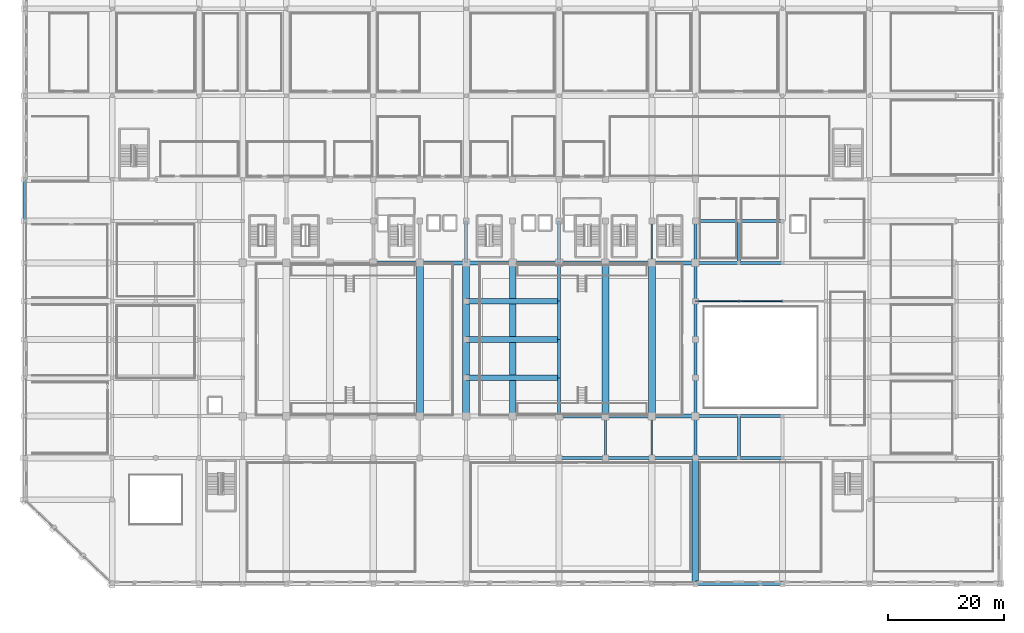
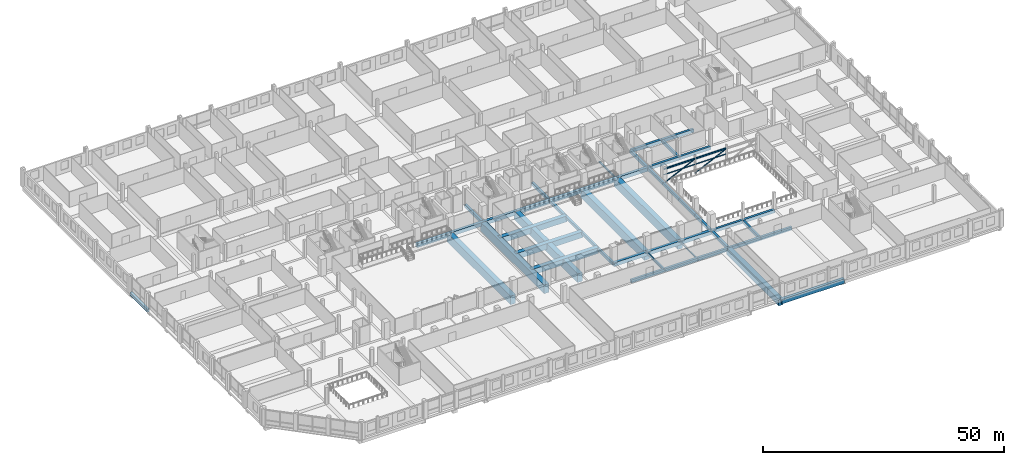
# One storey, part 27 of 68: 49 beams, 6 members.
"""IFC4 building model written with IfcOpenShell, lengths in metres."""

from ifc_helpers import new_model, si_unit, direction, frame, origin, origin_2d, place, context, subcontext, project, spatial, rectangle, hollow_rectangle, hollow_circle, i_section, extrude, material, material_profile, profile_set, type_object, element, save


model = new_model("IFC4")

# Units and contexts
model_context = context("Model", 3, precision=1e-05, world=origin(), true_north=direction((0.0, 1.0)))
body_context = subcontext(model_context, "Body", "Model", "MODEL_VIEW")
ifc_project = project(units=[si_unit("LENGTHUNIT", "METRE"), si_unit("AREAUNIT", "SQUARE_METRE"), si_unit("VOLUMEUNIT", "CUBIC_METRE"), si_unit("PLANEANGLEUNIT", "RADIAN"), si_unit("MASSUNIT", "GRAM", prefix="KILO")], contexts=[model_context])

# Site, building, storey
site_placement = place(None, origin())
site = spatial("IfcSite", under=ifc_project, at=site_placement, CompositionType="ELEMENT")
building_placement = place(site_placement, origin())
building = spatial("IfcBuilding", under=site, at=building_placement, Name="Akrevak Sports Hall", CompositionType="ELEMENT")
storey_placement = place(building_placement, frame((0.0, 0.0, 9.39990234375)))
storey = spatial("IfcBuildingStorey", under=building, at=storey_placement, Name="L02", CompositionType="ELEMENT", Elevation=9.39990234375)

# Beams
ifc_material_1 = material(Name="Concrete C50/60", Category="concrete")
ifc_material_profile_1 = material_profile(ifc_material_1, rectangle(XDim=1.10009765625, YDim=2.199951171875, at=origin_2d()), Name="PTG 1100x2200", Category="concrete")
ifc_profile_set_1 = profile_set([ifc_material_profile_1], Name="Concrete C50/60")
beam_type_1 = type_object("IfcBeamType", Name="PT-Transfer-Girder-1100x2200", PredefinedType="USERDEFINED", material=ifc_profile_set_1)
beam_1_placement = place(storey_placement, frame((84.0, 28.800048828125, -1.099853515625), z_axis=(0.0, 1.0, 0.0), x_axis=(-1.0, 0.0, 0.0)))
element("IfcBeam", 1, at=beam_1_placement, inside=storey, type_object=beam_type_1, Name="PT Transfer Girder PTG-L02-12 (26.4m Clear Span)", ObjectType="PT TRANSFER GIRDER", PredefinedType="USERDEFINED", context=body_context, shape_type="SweptSolid", body=[
    extrude(rectangle(XDim=1.10009765625, YDim=2.199951171875, at=origin_2d()), origin(), (0.0, 0.0, 1.0), 26.39990234375),
])
ifc_material_profile_2 = material_profile(ifc_material_1, rectangle(XDim=1.199951171875, YDim=2.199951171875, at=origin_2d()), Name="PTG 1200x2200", Category="concrete")
ifc_profile_set_2 = profile_set([ifc_material_profile_2], Name="Concrete C50/60")
beam_type_2 = type_object("IfcBeamType", Name="PT-Transfer-Girder-1200x2200", PredefinedType="USERDEFINED", material=ifc_profile_set_2)
for number, where, z_axis, x_axis, name in (
    (2, (68.0, 28.800048828125, -1.099853515625), (0.0, 1.0, 0.0), (-1.0, 0.0, 0.0), "PT Transfer Girder PTG-L02-10 (26.4m Clear Span)"),
    (3, (76.0, 28.800048828125, -1.099853515625), (0.0, 1.0, 0.0), (-1.0, 0.0, 0.0), "PT Transfer Girder PTG-L02-11 (26.4m Clear Span)"),
    (4, (100.0, 28.800048828125, -1.099853515625), (0.0, 1.0, 0.0), (-1.0, 0.0, 0.0), "PT Transfer Girder PTG-L02-14 (26.4m Clear Span)"),
    (5, (108.0, 28.800048828125, -1.099853515625), (0.0, 1.0, 0.0), (-1.0, 0.0, 0.0), "PT Transfer Girder PTG-L02-15 (26.4m Clear Span)"),
):
    element("IfcBeam", number, at=place(storey_placement, frame(where, z_axis=z_axis, x_axis=x_axis)), inside=storey, type_object=beam_type_2, Name=name, ObjectType="PT TRANSFER GIRDER", PredefinedType="USERDEFINED", context=body_context, shape_type="SweptSolid", body=[
        extrude(rectangle(XDim=1.199951171875, YDim=2.199951171875, at=origin_2d()), origin(), (0.0, 0.0, 1.0), 26.39990234375),
    ])
ifc_material_profile_3 = material_profile(ifc_material_1, rectangle(XDim=1.0, YDim=1.449951171875, at=origin_2d()), Name="BM 1000x1450", Category="concrete")
ifc_profile_set_3 = profile_set([ifc_material_profile_3], Name="Concrete C50/60")
beam_type_3 = type_object("IfcBeamType", Name="STR-BM-LG1000x1450", PredefinedType="BEAM", material=ifc_profile_set_3)
for number, where, z_axis, x_axis, name in (
    (6, (76.0, 35.39990234375, -0.724853515625), (1.0, 0.0, 0.0), (0.0, 1.0, 0.0), "Girder F/11-13 (L02)"),
    (7, (76.0, 42.0, -0.724853515625), (1.0, 0.0, 0.0), (0.0, 1.0, 0.0), "Girder G/11-13 (L02)"),
    (8, (76.0, 48.60009765625, -0.724853515625), (1.0, 0.0, 0.0), (0.0, 1.0, 0.0), "Girder H/11-13 (L02)"),
):
    element("IfcBeam", number, at=place(storey_placement, frame(where, z_axis=z_axis, x_axis=x_axis)), inside=storey, type_object=beam_type_3, Name=name, PredefinedType="BEAM", context=body_context, shape_type="SweptSolid", body=[
        extrude(rectangle(XDim=1.0, YDim=1.449951171875, at=origin_2d()), origin(), (0.0, 0.0, 1.0), 16.0),
    ])
ifc_material_profile_4 = material_profile(ifc_material_1, rectangle(XDim=1.10009765625, YDim=1.64990234375, at=origin_2d()), Name="BM 1100x1650", Category="concrete")
ifc_profile_set_4 = profile_set([ifc_material_profile_4], Name="Concrete C50/60")
beam_type_4 = type_object("IfcBeamType", Name="STR-BM-LG1100x1650", PredefinedType="BEAM", material=ifc_profile_set_4)
beam_2_placement = place(storey_placement, frame((115.5, 0.0, -0.824951171875), z_axis=(0.0, 1.0, 0.0), x_axis=(-1.0, 0.0, 0.0)))
element("IfcBeam", 9, at=beam_2_placement, inside=storey, type_object=beam_type_4, Name="Girder 16/A-D (L02)", PredefinedType="BEAM", context=body_context, shape_type="SweptSolid", body=[
    extrude(rectangle(XDim=1.10009765625, YDim=1.64990234375, at=origin_2d()), origin(), (0.0, 0.0, 1.0), 21.60009765625),
])
ifc_material_2 = material(Name="Concrete C40/50", Category="concrete")
ifc_material_profile_5 = material_profile(ifc_material_2, rectangle(XDim=0.5, YDim=0.75, at=origin_2d()), Name="BM 500x750", Category="concrete")
ifc_profile_set_5 = profile_set([ifc_material_profile_5], Name="Concrete C40/50")
beam_type_5 = type_object("IfcBeamType", Name="STR-BM-RC500x750", PredefinedType="BEAM", material=ifc_profile_set_5)
beam_3_placement = place(storey_placement, frame((0.0, 62.39990234375, -0.375), z_axis=(0.0, 1.0, 0.0), x_axis=(-1.0, 0.0, 0.0)))
element("IfcBeam", 10, at=beam_3_placement, inside=storey, type_object=beam_type_5, Name="Girder 1/J-K (L02)", PredefinedType="BEAM", context=body_context, shape_type="SweptSolid", body=[
    extrude(rectangle(XDim=0.5, YDim=0.75, at=origin_2d()), origin(), (0.0, 0.0, 1.0), 7.2001953125),
])
beam_4_placement = place(storey_placement, frame((76.0, 55.199951171875, -0.375), z_axis=(0.0, 1.0, 0.0), x_axis=(-1.0, 0.0, 0.0)))
element("IfcBeam", 11, at=beam_4_placement, inside=storey, type_object=beam_type_5, Name="Girder 11/I-J (L02)", PredefinedType="BEAM", context=body_context, shape_type="SweptSolid", body=[
    extrude(rectangle(XDim=0.5, YDim=0.75, at=origin_2d()), origin(), (0.0, 0.0, 1.0), 7.199951171875),
])
beam_5_placement = place(storey_placement, frame((92.0, 28.800048828125, -0.375), z_axis=(0.0, 1.0, 0.0), x_axis=(-1.0, 0.0, 0.0)))
element("IfcBeam", 12, at=beam_5_placement, inside=storey, type_object=beam_type_5, Name="Girder 13/E-F (L02)", PredefinedType="BEAM", context=body_context, shape_type="SweptSolid", body=[
    extrude(rectangle(XDim=0.5, YDim=0.75, at=origin_2d()), origin(), (0.0, 0.0, 1.0), 6.599853515625),
])
for number, where, z_axis, x_axis, name in (
    (13, (92.0, 35.39990234375, -0.375), (0.0, 1.0, 0.0), (-1.0, 0.0, 0.0), "Girder 13/F-G (L02)"),
    (14, (92.0, 42.0, -0.375), (0.0, 1.0, 0.0), (-1.0, 0.0, 0.0), "Girder 13/G-H (L02)"),
):
    element("IfcBeam", number, at=place(storey_placement, frame(where, z_axis=z_axis, x_axis=x_axis)), inside=storey, type_object=beam_type_5, Name=name, PredefinedType="BEAM", context=body_context, shape_type="SweptSolid", body=[
        extrude(rectangle(XDim=0.5, YDim=0.75, at=origin_2d()), origin(), (0.0, 0.0, 1.0), 6.60009765625),
    ])
beam_6_placement = place(storey_placement, frame((92.0, 48.60009765625, -0.375), z_axis=(0.0, 1.0, 0.0), x_axis=(-1.0, 0.0, 0.0)))
element("IfcBeam", 15, at=beam_6_placement, inside=storey, type_object=beam_type_5, Name="Girder 13/H-I (L02)", PredefinedType="BEAM", context=body_context, shape_type="SweptSolid", body=[
    extrude(rectangle(XDim=0.5, YDim=0.75, at=origin_2d()), origin(), (0.0, 0.0, 1.0), 6.599853515625),
])
for number, where, z_axis, x_axis, name in (
    (16, (92.0, 55.199951171875, -0.375), (0.0, 1.0, 0.0), (-1.0, 0.0, 0.0), "Girder 13/I-J (L02)"),
    (17, (115.5, 21.60009765625, -0.375), (0.0, 1.0, 0.0), (-1.0, 0.0, 0.0), "Girder 16/D-E (L02)"),
):
    element("IfcBeam", number, at=place(storey_placement, frame(where, z_axis=z_axis, x_axis=x_axis)), inside=storey, type_object=beam_type_5, Name=name, PredefinedType="BEAM", context=body_context, shape_type="SweptSolid", body=[
        extrude(rectangle(XDim=0.5, YDim=0.75, at=origin_2d()), origin(), (0.0, 0.0, 1.0), 7.199951171875),
    ])
beam_7_placement = place(storey_placement, frame((115.5, 28.800048828125, -0.375), z_axis=(0.0, 1.0, 0.0), x_axis=(-1.0, 0.0, 0.0)))
element("IfcBeam", 18, at=beam_7_placement, inside=storey, type_object=beam_type_5, Name="Girder 16/E-F (L02)", PredefinedType="BEAM", context=body_context, shape_type="SweptSolid", body=[
    extrude(rectangle(XDim=0.5, YDim=0.75, at=origin_2d()), origin(), (0.0, 0.0, 1.0), 6.599853515625),
])
for number, where, z_axis, x_axis, name in (
    (19, (115.5, 35.39990234375, -0.375), (0.0, 1.0, 0.0), (-1.0, 0.0, 0.0), "Girder 16/F-G (L02)"),
    (20, (115.5, 42.0, -0.375), (0.0, 1.0, 0.0), (-1.0, 0.0, 0.0), "Girder 16/G-H (L02)"),
):
    element("IfcBeam", number, at=place(storey_placement, frame(where, z_axis=z_axis, x_axis=x_axis)), inside=storey, type_object=beam_type_5, Name=name, PredefinedType="BEAM", context=body_context, shape_type="SweptSolid", body=[
        extrude(rectangle(XDim=0.5, YDim=0.75, at=origin_2d()), origin(), (0.0, 0.0, 1.0), 6.60009765625),
    ])
beam_8_placement = place(storey_placement, frame((115.5, 48.60009765625, -0.375), z_axis=(0.0, 1.0, 0.0), x_axis=(-1.0, 0.0, 0.0)))
element("IfcBeam", 21, at=beam_8_placement, inside=storey, type_object=beam_type_5, Name="Girder 16/H-I (L02)", PredefinedType="BEAM", context=body_context, shape_type="SweptSolid", body=[
    extrude(rectangle(XDim=0.5, YDim=0.75, at=origin_2d()), origin(), (0.0, 0.0, 1.0), 6.599853515625),
])
for number, where, z_axis, x_axis, name in (
    (22, (115.5, 55.199951171875, -0.375), (0.0, 1.0, 0.0), (-1.0, 0.0, 0.0), "Girder 16/I-J (L02)"),
    (23, (123.0, 21.60009765625, -0.375), (0.0, 1.0, 0.0), (-1.0, 0.0, 0.0), "Girder 17/D-E (L02)"),
    (24, (123.0, 55.199951171875, -0.375), (0.0, 1.0, 0.0), (-1.0, 0.0, 0.0), "Girder 17/I-J (L02)"),
):
    element("IfcBeam", number, at=place(storey_placement, frame(where, z_axis=z_axis, x_axis=x_axis)), inside=storey, type_object=beam_type_5, Name=name, PredefinedType="BEAM", context=body_context, shape_type="SweptSolid", body=[
        extrude(rectangle(XDim=0.5, YDim=0.75, at=origin_2d()), origin(), (0.0, 0.0, 1.0), 7.199951171875),
    ])
ifc_material_profile_6 = material_profile(ifc_material_2, rectangle(XDim=0.550048828125, YDim=0.800048828125, at=origin_2d()), Name="BM 550x800", Category="concrete")
ifc_profile_set_6 = profile_set([ifc_material_profile_6], Name="Concrete C40/50")
beam_type_6 = type_object("IfcBeamType", Name="STR-BM-RC550x800", PredefinedType="BEAM", material=ifc_profile_set_6)
for number, where, z_axis, x_axis, name in (
    (25, (92.0, 21.60009765625, -0.39990234375), (1.0, 0.0, 0.0), (0.0, 1.0, 0.0), "Girder D/13-14 (L02)"),
    (26, (100.0, 21.60009765625, -0.39990234375), (1.0, 0.0, 0.0), (0.0, 1.0, 0.0), "Girder D/14-15 (L02)"),
):
    element("IfcBeam", number, at=place(storey_placement, frame(where, z_axis=z_axis, x_axis=x_axis)), inside=storey, type_object=beam_type_6, Name=name, PredefinedType="BEAM", context=body_context, shape_type="SweptSolid", body=[
        extrude(rectangle(XDim=0.550048828125, YDim=0.800048828125, at=origin_2d()), origin(), (0.0, 0.0, 1.0), 8.0),
    ])
for number, where, z_axis, x_axis, name in (
    (27, (108.0, 21.60009765625, -0.39990234375), (1.0, 0.0, 0.0), (0.0, 1.0, 0.0), "Girder D/15-16 (L02)"),
    (28, (115.5, 21.60009765625, -0.39990234375), (1.0, 0.0, 0.0), (0.0, 1.0, 0.0), "Girder D/16-17 (L02)"),
    (29, (123.0, 21.60009765625, -0.39990234375), (1.0, 0.0, 0.0), (0.0, 1.0, 0.0), "Girder D/17-18 (L02)"),
    (30, (115.5, 28.800048828125, -0.39990234375), (1.0, 0.0, 0.0), (0.0, 1.0, 0.0), "Girder E/16-17 (L02)"),
    (31, (123.0, 28.800048828125, -0.39990234375), (1.0, 0.0, 0.0), (0.0, 1.0, 0.0), "Girder E/17-18 (L02)"),
    (32, (115.5, 55.199951171875, -0.39990234375), (1.0, 0.0, 0.0), (0.0, 1.0, 0.0), "Girder I/16-17 (L02)"),
    (33, (123.0, 55.199951171875, -0.39990234375), (1.0, 0.0, 0.0), (0.0, 1.0, 0.0), "Girder I/17-18 (L02)"),
    (34, (115.5, 62.39990234375, -0.39990234375), (1.0, 0.0, 0.0), (0.0, 1.0, 0.0), "Girder J/16-17 (L02)"),
    (35, (123.0, 62.39990234375, -0.39990234375), (1.0, 0.0, 0.0), (0.0, 1.0, 0.0), "Girder J/17-18 (L02)"),
):
    element("IfcBeam", number, at=place(storey_placement, frame(where, z_axis=z_axis, x_axis=x_axis)), inside=storey, type_object=beam_type_6, Name=name, PredefinedType="BEAM", context=body_context, shape_type="SweptSolid", body=[
        extrude(rectangle(XDim=0.550048828125, YDim=0.800048828125, at=origin_2d()), origin(), (0.0, 0.0, 1.0), 7.5),
    ])
ifc_material_profile_7 = material_profile(ifc_material_1, rectangle(XDim=0.699951171875, YDim=0.949951171875, at=origin_2d()), Name="BM 700x950", Category="concrete")
ifc_profile_set_7 = profile_set([ifc_material_profile_7], Name="Concrete C50/60")
beam_type_7 = type_object("IfcBeamType", Name="STR-BM-RC700x950", PredefinedType="BEAM", material=ifc_profile_set_7)
for number, where, z_axis, x_axis, name in (
    (36, (92.0, 28.800048828125, -0.474853515625), (1.0, 0.0, 0.0), (0.0, 1.0, 0.0), "Girder E/13-14 (L02)"),
    (37, (100.0, 28.800048828125, -0.474853515625), (1.0, 0.0, 0.0), (0.0, 1.0, 0.0), "Girder E/14-15 (L02)"),
):
    element("IfcBeam", number, at=place(storey_placement, frame(where, z_axis=z_axis, x_axis=x_axis)), inside=storey, type_object=beam_type_7, Name=name, PredefinedType="BEAM", context=body_context, shape_type="SweptSolid", body=[
        extrude(rectangle(XDim=0.699951171875, YDim=0.949951171875, at=origin_2d()), origin(), (0.0, 0.0, 1.0), 8.0),
    ])
beam_9_placement = place(storey_placement, frame((108.0, 28.800048828125, -0.474853515625), z_axis=(1.0, 0.0, 0.0), x_axis=(0.0, 1.0, 0.0)))
element("IfcBeam", 38, at=beam_9_placement, inside=storey, type_object=beam_type_7, Name="Girder E/15-16 (L02)", PredefinedType="BEAM", context=body_context, shape_type="SweptSolid", body=[
    extrude(rectangle(XDim=0.699951171875, YDim=0.949951171875, at=origin_2d()), origin(), (0.0, 0.0, 1.0), 7.5),
])
for number, where, z_axis, x_axis, name in (
    (39, (60.0, 55.199951171875, -0.474853515625), (1.0, 0.0, 0.0), (0.0, 1.0, 0.0), "Girder I/9-10 (L02)"),
    (40, (68.0, 55.199951171875, -0.474853515625), (1.0, 0.0, 0.0), (0.0, 1.0, 0.0), "Girder I/10-11 (L02)"),
    (41, (76.0, 55.199951171875, -0.474853515625), (1.0, 0.0, 0.0), (0.0, 1.0, 0.0), "Girder I/11-12 (L02)"),
    (42, (84.0, 55.199951171875, -0.474853515625), (1.0, 0.0, 0.0), (0.0, 1.0, 0.0), "Girder I/12-13 (L02)"),
    (43, (92.0, 55.199951171875, -0.474853515625), (1.0, 0.0, 0.0), (0.0, 1.0, 0.0), "Girder I/13-14 (L02)"),
    (44, (100.0, 55.199951171875, -0.474853515625), (1.0, 0.0, 0.0), (0.0, 1.0, 0.0), "Girder I/14-15 (L02)"),
):
    element("IfcBeam", number, at=place(storey_placement, frame(where, z_axis=z_axis, x_axis=x_axis)), inside=storey, type_object=beam_type_7, Name=name, PredefinedType="BEAM", context=body_context, shape_type="SweptSolid", body=[
        extrude(rectangle(XDim=0.699951171875, YDim=0.949951171875, at=origin_2d()), origin(), (0.0, 0.0, 1.0), 8.0),
    ])
beam_10_placement = place(storey_placement, frame((108.0, 55.199951171875, -0.474853515625), z_axis=(1.0, 0.0, 0.0), x_axis=(0.0, 1.0, 0.0)))
element("IfcBeam", 45, at=beam_10_placement, inside=storey, type_object=beam_type_7, Name="Girder I/15-16 (L02)", PredefinedType="BEAM", context=body_context, shape_type="SweptSolid", body=[
    extrude(rectangle(XDim=0.699951171875, YDim=0.949951171875, at=origin_2d()), origin(), (0.0, 0.0, 1.0), 7.5),
])
ifc_material_3 = material(Name="Steel S355", Category="steel")
ifc_material_profile_8 = material_profile(ifc_material_3, i_section(OverallWidth=0.239990234375, OverallDepth=0.239990234375, WebThickness=0.010009765625, FlangeThickness=0.01708984375, FilletRadius=0.02099609375, at=origin_2d()), Name="HEB 240", Category="steel")
ifc_profile_set_8 = profile_set([ifc_material_profile_8], Name="Steel S355")
beam_type_8 = type_object("IfcBeamType", Name="STR-BM-STL-HEB240", PredefinedType="BEAM", material=ifc_profile_set_8)
beam_11_placement = place(storey_placement, frame((108.0, 21.60009765625, -0.449951171875), z_axis=(0.0, 1.0, 0.0), x_axis=(-1.0, 0.0, 0.0)))
element("IfcBeam", 46, at=beam_11_placement, inside=storey, type_object=beam_type_8, Name="Arena Concourse Steel Girder 3", PredefinedType="BEAM", context=body_context, shape_type="SweptSolid", body=[
    extrude(i_section(OverallWidth=0.239990234375, OverallDepth=0.239990234375, WebThickness=0.010009765625, FlangeThickness=0.01708984375, FilletRadius=0.02099609375, at=origin_2d()), origin(), (0.0, 0.0, 1.0), 7.199951171875),
])
ifc_material_profile_9 = material_profile(ifc_material_3, i_section(OverallWidth=0.179931640625, OverallDepth=0.39990234375, WebThickness=0.008544921875, FlangeThickness=0.013427734375, FilletRadius=0.02099609375, at=origin_2d()), Name="IPE 400", Category="steel")
ifc_profile_set_9 = profile_set([ifc_material_profile_9], Name="Steel S355")
beam_type_9 = type_object("IfcBeamType", Name="STR-BM-STL-IPE400", PredefinedType="JOIST", material=ifc_profile_set_9)
for number, where, z_axis, x_axis, name in (
    (47, (115.5, 48.60009765625, 3.3701171875), (1.0, 0.0, 0.0), (0.0, 1.0, 0.0), "Climbing Frame Tie Beam 1 (L02)"),
    (48, (123.0, 48.60009765625, 3.3701171875), (1.0, 0.0, 0.0), (0.0, 1.0, 0.0), "Climbing Frame Tie Beam 2 (L02)"),
):
    element("IfcBeam", number, at=place(storey_placement, frame(where, z_axis=z_axis, x_axis=x_axis)), inside=storey, type_object=beam_type_9, Name=name, PredefinedType="JOIST", context=body_context, shape_type="SweptSolid", body=[
        extrude(i_section(OverallWidth=0.179931640625, OverallDepth=0.39990234375, WebThickness=0.008544921875, FlangeThickness=0.013427734375, FilletRadius=0.02099609375, at=origin_2d()), origin(), (0.0, 0.0, 1.0), 7.5),
    ])

# Members
ifc_material_profile_10 = material_profile(ifc_material_3, hollow_circle(Radius=0.084228515625, WallThickness=0.008056640625, at=origin_2d()), Name="CHS 168.3x8", Category="steel")
ifc_profile_set_10 = profile_set([ifc_material_profile_10], Name="Steel S355")
member_type_1 = type_object("IfcMemberType", Name="STR-MEM-BRACE-CHS168", PredefinedType="BRACE", material=ifc_profile_set_10)
for number, where, z_axis, x_axis, name in (
    (49, (115.5, 48.60009765625, -0.2998046875), (0.900590023633, 0.0, 0.434669540378), (0.0, 1.0, 0.0), "Climbing Wall Diagonal Brace BR-1 (L02)"),
    (50, (123.0, 48.60009765625, -0.2998046875), (0.900590023633, 0.0, 0.434669540378), (0.0, 1.0, 0.0), "Climbing Wall Diagonal Brace BR-2 (L02)"),
):
    element("IfcMember", number, at=place(storey_placement, frame(where, z_axis=z_axis, x_axis=x_axis)), inside=storey, type_object=member_type_1, Name=name, PredefinedType="BRACE", context=body_context, shape_type="SweptSolid", body=[
        extrude(hollow_circle(Radius=0.084228515625, WallThickness=0.008056640625, at=origin_2d()), origin(), (0.0, 0.0, 1.0), 8.327880859375),
    ])
ifc_material_profile_11 = material_profile(ifc_material_3, i_section(OverallWidth=0.280029296875, OverallDepth=0.27001953125, WebThickness=0.008056640625, FlangeThickness=0.012939453125, FilletRadius=0.02392578125, at=origin_2d()), Name="HEA 280", Category="steel")
ifc_profile_set_11 = profile_set([ifc_material_profile_11], Name="Steel S355")
member_type_2 = type_object("IfcMemberType", Name="STR-MEM-CHORD-HEA280", PredefinedType="CHORD", material=ifc_profile_set_11)
member_1_placement = place(storey_placement, frame((108.0, 55.199951171875, -0.46484375), z_axis=(0.0, 1.0, 0.0), x_axis=(-1.0, 0.0, 0.0)))
element("IfcMember", 51, at=member_1_placement, inside=storey, type_object=member_type_2, Name="Arena Concourse Steel Girder 4", PredefinedType="CHORD", context=body_context, shape_type="SweptSolid", body=[
    extrude(i_section(OverallWidth=0.280029296875, OverallDepth=0.27001953125, WebThickness=0.008056640625, FlangeThickness=0.012939453125, FilletRadius=0.02392578125, at=origin_2d()), origin(), (0.0, 0.0, 1.0), 7.199951171875),
])
ifc_material_profile_12 = material_profile(ifc_material_3, i_section(OverallWidth=0.300048828125, OverallDepth=0.60009765625, WebThickness=0.015380859375, FlangeThickness=0.030029296875, FilletRadius=0.027099609375, at=origin_2d()), Name="HEB 600", Category="steel")
ifc_profile_set_12 = profile_set([ifc_material_profile_12], Name="Steel S355")
member_type_3 = type_object("IfcMemberType", Name="STR-MEM-CHORD-HEB600", PredefinedType="CHORD", material=ifc_profile_set_12)
member_2_placement = place(storey_placement, frame((100.0, 21.60009765625, -0.2998046875), z_axis=(0.0, 1.0, 0.0), x_axis=(-1.0, 0.0, 0.0)))
element("IfcMember", 52, at=member_2_placement, inside=storey, type_object=member_type_3, Name="Upper Stand Collector Chord 5", PredefinedType="CHORD", context=body_context, shape_type="SweptSolid", body=[
    extrude(i_section(OverallWidth=0.300048828125, OverallDepth=0.60009765625, WebThickness=0.015380859375, FlangeThickness=0.030029296875, FilletRadius=0.027099609375, at=origin_2d()), origin(), (0.0, 0.0, 1.0), 7.199951171875),
])
ifc_material_profile_13 = material_profile(ifc_material_3, hollow_rectangle(XDim=0.1201171875, YDim=0.199951171875, WallThickness=0.010009765625, at=origin_2d()), Name="RHS 200x120x10", Category="steel")
ifc_profile_set_13 = profile_set([ifc_material_profile_13], Name="Steel S355")
member_type_4 = type_object("IfcMemberType", Name="STR-MEM-STR-RHS200", PredefinedType="STRINGER", material=ifc_profile_set_13)
for number, where, z_axis, x_axis, name in (
    (53, (115.5, 48.60009765625, 1.93505859375), (1.0, 0.0, 0.0), (0.0, 1.0, 0.0), "Climbing Wall Stringer STG-1 (L02)"),
    (54, (123.0, 48.60009765625, 1.93505859375), (1.0, 0.0, 0.0), (0.0, 1.0, 0.0), "Climbing Wall Stringer STG-2 (L02)"),
):
    element("IfcMember", number, at=place(storey_placement, frame(where, z_axis=z_axis, x_axis=x_axis)), inside=storey, type_object=member_type_4, Name=name, PredefinedType="STRINGER", context=body_context, shape_type="SweptSolid", body=[
        extrude(hollow_rectangle(XDim=0.1201171875, YDim=0.199951171875, WallThickness=0.010009765625, at=origin_2d()), origin(), (0.0, 0.0, 1.0), 7.5),
    ])

# Beam
ifc_material_profile_14 = material_profile(ifc_material_1, rectangle(XDim=0.75, YDim=1.14990234375, at=origin_2d()), Name="SPD 750x1150", Category="concrete")
ifc_profile_set_14 = profile_set([ifc_material_profile_14], Name="Concrete C50/60")
beam_type_10 = type_object("IfcBeamType", Name="STR-SPD-LSP750x1150", PredefinedType="SPANDREL", material=ifc_profile_set_14)
beam_12_placement = place(storey_placement, frame((115.5, 0.0, -0.574951171875), z_axis=(1.0, 0.0, 0.0), x_axis=(0.0, 1.0, 0.0)))
element("IfcBeam", 55, at=beam_12_placement, inside=storey, type_object=beam_type_10, Name="Girder A/16-18 (L02)", PredefinedType="SPANDREL", context=body_context, shape_type="SweptSolid", body=[
    extrude(rectangle(XDim=0.75, YDim=1.14990234375, at=origin_2d()), origin(), (0.0, 0.0, 1.0), 15.0),
])

save(model, "model.ifc")
